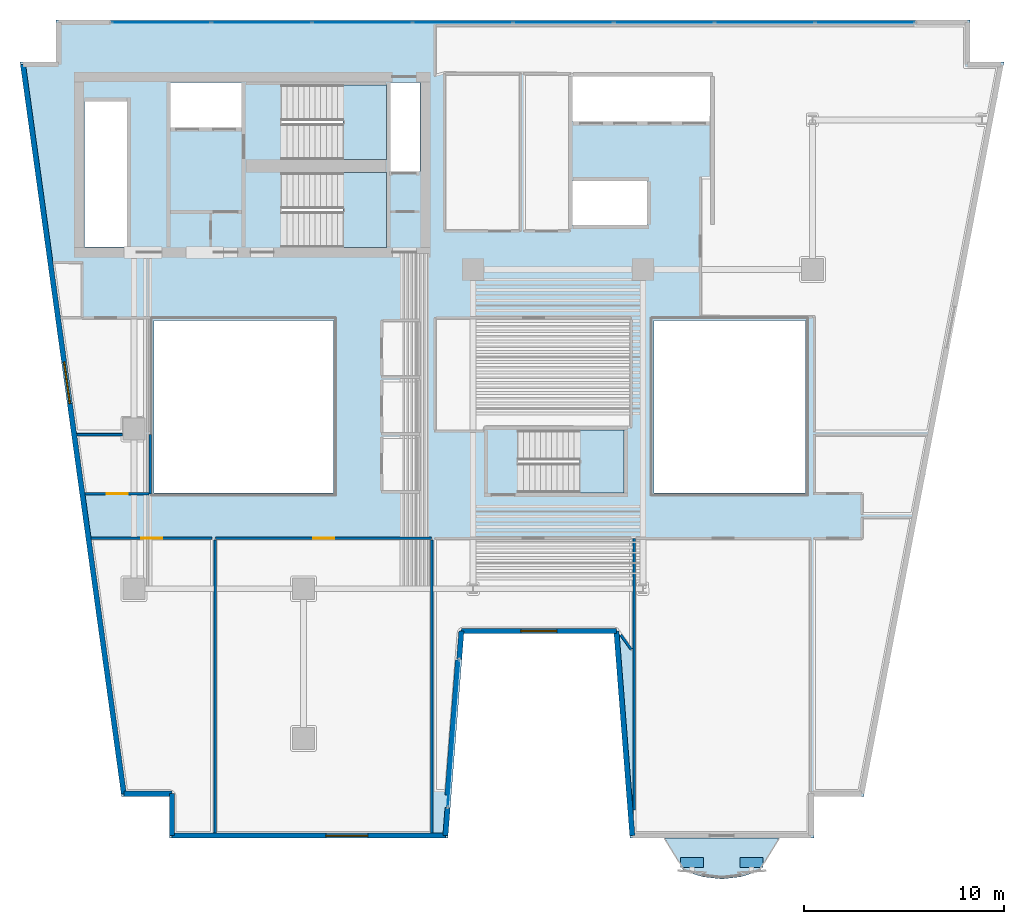
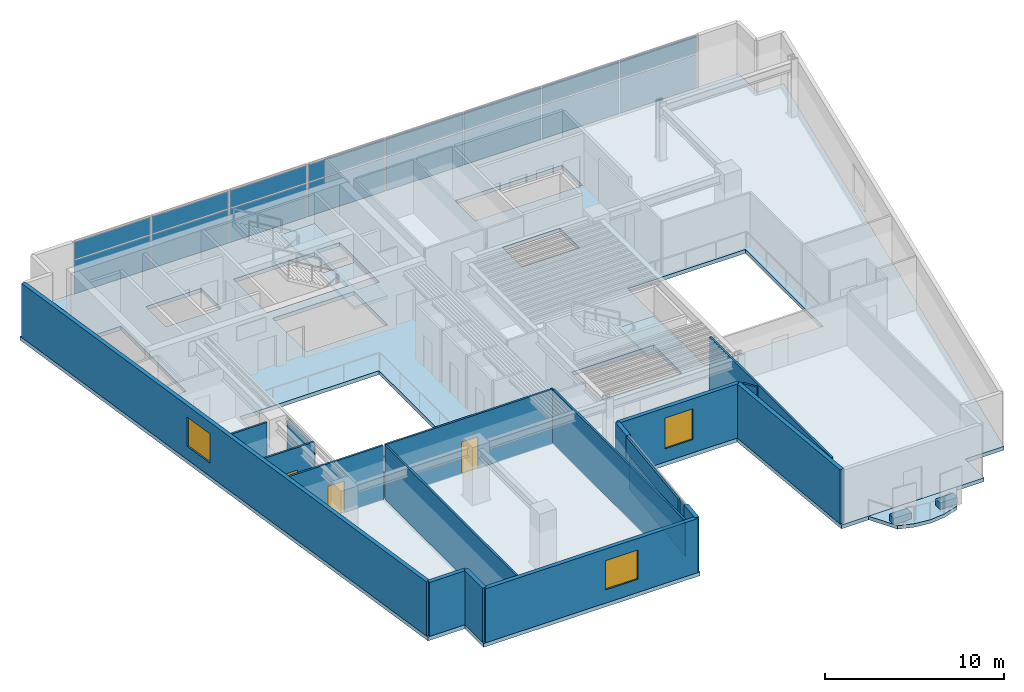
# One storey, part 5 of 13: 20 plates, 18 walls, 5 slabs, 3 doors, 3 windows, 6 openings, 5 elements without a shape of their own.
"""IFC4 building model written with IfcOpenShell, lengths in metres."""

import ifcopenshell
import ifcopenshell.guid

model = None  # the IFC model being written
_history = None  # IfcOwnerHistory: only IFC2X3 demands one
_inside = {}  # id of a spatial element -> (the spatial element, [elements in it])
_under = {}  # id of a project, library or spatial element -> (it, [spatial elements below it])
_declared = {}  # id of a project -> (the project, [libraries it declares])
_typed = {}  # id of a type object -> (the type object, [elements of that type])
_made_of = {}  # id of a material, layer set ... -> (it, [elements and type objects made of it])


def new_model(schema):
    """Start an empty IFC model of exactly this schema.

    Asked for "IFC4X3", IfcOpenShell would pick the latest addendum, in which some entities
    have other attributes; the version numbers below select the first issue.
    IFC2X3 requires an IfcOwnerHistory on every rooted entity: one is made here for all.
    """
    global model, _history
    if schema == "IFC4X3":
        model = ifcopenshell.file(schema_version=(4, 3, 0, 0))
    else:
        model = ifcopenshell.file(schema=schema)
    _inside.clear()
    _under.clear()
    _declared.clear()
    _typed.clear()
    _made_of.clear()
    _history = None
    if model.schema == "IFC2X3":
        org = make("IfcOrganization", Name="unknown")
        user = make(
            "IfcPersonAndOrganization",
            ThePerson=make("IfcPerson", FamilyName="unknown"),
            TheOrganization=org,
        )
        app = make(
            "IfcApplication",
            ApplicationDeveloper=org,
            Version="unknown",
            ApplicationFullName="unknown",
            ApplicationIdentifier="unknown",
        )
        _history = make(
            "IfcOwnerHistory",
            OwningUser=user,
            OwningApplication=app,
            ChangeAction="ADDED",
            CreationDate=0,
        )
    return model


def make(cls, **values):
    """One entity of the class cls with the attributes given. An attribute that is None is left unset."""
    return model.create_entity(
        cls, **{name: value for name, value in values.items() if value is not None}
    )


def rooted(cls, **values):
    """An entity with a GlobalId (a new one), such as an element, a storey or a relation."""
    return make(cls, GlobalId=ifcopenshell.guid.new(), OwnerHistory=_history, **values)


def si_unit(unit_type, name, prefix=None):
    """IfcSIUnit, for example si_unit("LENGTHUNIT", "METRE", prefix="MILLI")."""
    return make("IfcSIUnit", UnitType=unit_type, Prefix=prefix, Name=name)


def assignment(units):
    """IfcUnitAssignment: the units of a project."""
    return None if units is None else make("IfcUnitAssignment", Units=units)


def point(xyz):
    """IfcCartesianPoint."""
    return None if xyz is None else make("IfcCartesianPoint", Coordinates=xyz)


def direction(xyz):
    """IfcDirection."""
    return None if xyz is None else make("IfcDirection", DirectionRatios=xyz)


def frame(location, z_axis=None, x_axis=None):
    """IfcAxis2Placement3D, a coordinate frame: its origin and axes. An axis left out is left unset."""
    return make(
        "IfcAxis2Placement3D",
        Location=point(location),
        Axis=direction(z_axis),
        RefDirection=direction(x_axis),
    )


def frame_2d(location, x_axis=None):
    """IfcAxis2Placement2D, a coordinate frame in the plane: its origin and x axis."""
    return make(
        "IfcAxis2Placement2D", Location=point(location), RefDirection=direction(x_axis)
    )


def origin():
    """The frame at (0, 0, 0) with its axes left unset."""
    return frame((0.0, 0.0, 0.0))


def origin_2d():
    """The frame at (0, 0) in the plane with its x axis left unset."""
    return frame_2d((0.0, 0.0))


def place(relative_to, where):
    """IfcLocalPlacement: puts the frame where relative to a parent placement (None: the world)."""
    return make(
        "IfcLocalPlacement", PlacementRelTo=relative_to, RelativePlacement=where
    )


def context(
    kind, dimensions, precision=None, world=None, true_north=None, identifier=None
):
    """IfcGeometricRepresentationContext, for example the 3D "Model" context."""
    return make(
        "IfcGeometricRepresentationContext",
        ContextIdentifier=identifier,
        ContextType=kind,
        CoordinateSpaceDimension=dimensions,
        Precision=precision,
        WorldCoordinateSystem=world,
        TrueNorth=true_north,
    )


def subcontext(parent, identifier, kind, view, scale=None):
    """IfcGeometricRepresentationSubContext, for example "Body" below "Model"."""
    return make(
        "IfcGeometricRepresentationSubContext",
        ContextIdentifier=identifier,
        ContextType=kind,
        ParentContext=parent,
        TargetScale=scale,
        TargetView=view,
    )


def project(units=None, contexts=None):
    """IfcProject with its units and contexts."""
    return rooted(
        "IfcProject",
        Name="project",
        RepresentationContexts=contexts,
        UnitsInContext=assignment(units),
    )


def spatial(cls, under=None, at=None, **own):
    """A site, building, storey or space (cls), placed at a placement, below another one or the project."""
    s = rooted(cls, ObjectPlacement=at, **own)
    if under is not None:
        _under.setdefault(under.id(), (under, []))[1].append(s)
    return s


def polyline(points):
    """IfcPolyline through the points."""
    return make("IfcPolyline", Points=[point(p) for p in points])


def profile(cls, at=None, kind="AREA", **sizes):
    """A parametric profile (cls). Its sizes go by their IFC names, for example OverallWidth=200.0."""
    return make(cls, ProfileType=kind, Position=at, **sizes)


def rectangle(**sizes):
    """IfcRectangleProfileDef."""
    return profile("IfcRectangleProfileDef", **sizes)


def outline(outer, holes=None, kind="AREA"):
    """IfcArbitraryClosedProfileDef: a profile drawn as a closed curve; with holes, ...WithVoids."""
    if holes is None:
        return make("IfcArbitraryClosedProfileDef", ProfileType=kind, OuterCurve=outer)
    return make(
        "IfcArbitraryProfileDefWithVoids",
        ProfileType=kind,
        OuterCurve=outer,
        InnerCurves=holes,
    )


def extrude(swept, where, along, depth):
    """IfcExtrudedAreaSolid: the profile swept, set in the frame where, extruded along a direction by depth."""
    return make(
        "IfcExtrudedAreaSolid",
        SweptArea=swept,
        Position=where,
        ExtrudedDirection=direction(along),
        Depth=depth,
    )


def shape(context_of_items, identifier, shape_type, items):
    """IfcShapeRepresentation: the items that make up one representation, for example the "Body"."""
    return make(
        "IfcShapeRepresentation",
        ContextOfItems=context_of_items,
        RepresentationIdentifier=identifier,
        RepresentationType=shape_type,
        Items=items,
    )


def material(Name=None, Category=None):
    """IfcMaterial."""
    return make("IfcMaterial", Name=Name, Category=Category)


def layer(
    of_material, thickness, ventilated=None, Name=None, Category=None, Priority=None
):
    """IfcMaterialLayer: one layer of a wall or slab, of a material (None: an air gap)."""
    return make(
        "IfcMaterialLayer",
        Material=of_material,
        LayerThickness=thickness,
        IsVentilated=ventilated,
        Name=Name,
        Category=Category,
        Priority=Priority,
    )


def layer_set(layers, Name=None):
    """IfcMaterialLayerSet."""
    return make("IfcMaterialLayerSet", MaterialLayers=layers, LayerSetName=Name)


def made_of(thing, what):
    """Note that an element or type object is made of a material, layer set ...; save() writes the relation."""
    if what is not None:
        _made_of.setdefault(what.id(), (what, []))[1].append(thing)
    return thing


def type_object(cls, material=None, **own):
    """A type object (cls), such as IfcWallType, which elements share."""
    return made_of(rooted(cls, **own), material)


def element(
    cls,
    number,
    at=None,
    inside=None,
    cuts=None,
    type_object=None,
    material=None,
    context=None,
    identifier="Body",
    shape_type=None,
    held_by="IfcProductDefinitionShape",
    body=None,
    shapes=None,
    **own,
):
    """One element of the class cls, such as IfcWall. Its Tag is "e" and its number.

    at: its placement. inside: the storey or other place that contains it. cuts: it is an
    opening in that element (IfcRelVoidsElement). A single representation is given by context,
    identifier, shape_type and body (its items); several are given by shapes. held_by: the class
    of the entity that holds the representations. save() writes the other relations.
    """
    e = rooted(cls, Tag="e%d" % number, ObjectPlacement=at, **own)
    if body is not None:
        shapes = [shape(context, identifier, shape_type, body)]
    if shapes is not None:
        e.Representation = make(held_by, Representations=shapes)
    if inside is not None:
        _inside.setdefault(inside.id(), (inside, []))[1].append(e)
    if cuts is not None:
        rooted(
            "IfcRelVoidsElement", RelatingBuildingElement=cuts, RelatedOpeningElement=e
        )
    if type_object is not None:
        _typed.setdefault(type_object.id(), (type_object, []))[1].append(e)
    return made_of(e, material)


def fill(opening, filler):
    """IfcRelFillsElement: the door or window that sits in an opening."""
    return rooted(
        "IfcRelFillsElement",
        RelatingOpeningElement=opening,
        RelatedBuildingElement=filler,
    )


def aggregate(whole, parts):
    """IfcRelAggregates: a whole, such as a stair, and the parts it consists of."""
    return rooted("IfcRelAggregates", RelatingObject=whole, RelatedObjects=parts)


def save(model, path):
    """Write the relations noted so far, then the file.

    IfcRelAggregates (storeys below a building ...), IfcRelContainedInSpatialStructure (elements
    in a storey), IfcRelDefinesByType, IfcRelAssociatesMaterial and IfcRelDeclares: one each for
    every whole, place, type object, material and project.
    """
    for whole, parts in _under.values():
        aggregate(whole, parts)
    for where, things in _inside.values():
        rooted(
            "IfcRelContainedInSpatialStructure",
            RelatedElements=things,
            RelatingStructure=where,
        )
    for kind, things in _typed.values():
        rooted("IfcRelDefinesByType", RelatedObjects=things, RelatingType=kind)
    for what, things in _made_of.values():
        rooted("IfcRelAssociatesMaterial", RelatedObjects=things, RelatingMaterial=what)
    for by, libraries in _declared.values():
        rooted("IfcRelDeclares", RelatingContext=by, RelatedDefinitions=libraries)
    model.write(path)


model = new_model("IFC4")

# Units and contexts
model_context = context("Model", 3, precision=1e-05, world=origin(), true_north=direction((0.0, 1.0)))
body_context = subcontext(model_context, "Body", "Model", "MODEL_VIEW")
ifc_project = project(units=[si_unit("LENGTHUNIT", "METRE"), si_unit("AREAUNIT", "SQUARE_METRE"), si_unit("VOLUMEUNIT", "CUBIC_METRE"), si_unit("PLANEANGLEUNIT", "RADIAN"), si_unit("MASSUNIT", "GRAM", prefix="KILO")], contexts=[model_context])

# Site, building, storey
site_placement = place(None, origin())
site = spatial("IfcSite", under=ifc_project, at=site_placement, CompositionType="ELEMENT")
building_placement = place(site_placement, origin())
building = spatial("IfcBuilding", under=site, at=building_placement, Name="Caeloran Harvest Quay", CompositionType="ELEMENT")
storey_placement = place(building_placement, frame((0.0, 0.0, 123.25)))
storey = spatial("IfcBuildingStorey", under=building, at=storey_placement, Name="L28", CompositionType="ELEMENT", Elevation=123.25)

# Slab
ifc_material_1 = material(Name="Concrete C50/60", Category="concrete")
ifc_layer_1 = layer(ifc_material_1, 0.239990234375, Name="Concrete C50/60")
ifc_layer_set_1 = layer_set([ifc_layer_1], Name="Concrete C50/60")
slab_type_1 = type_object("IfcSlabType", Name="BALCONY-BL-240", PredefinedType="FLOOR", material=ifc_layer_set_1)
slab_1_placement = place(storey_placement, frame((0.0, 0.0, -0.239990234375)))
element("IfcSlab", 1, at=slab_1_placement, inside=storey, type_object=slab_type_1, Name="L28 Scalloped Cantilevered Planted Balcony Slab", PredefinedType="FLOOR", context=body_context, shape_type="SweptSolid", body=[
    extrude(outline(polyline([(39.869873046875, 0.86669921875), (38.913818359375, 0.56396484375), (37.95751953125, 0.453125), (37.001220703125, 0.56396484375), (36.045166015625, 0.86669921875), (35.1005859375, 2.5), (40.814453125, 2.5), (39.869873046875, 0.86669921875)])), origin(), (0.0, 0.0, 1.0), 0.239990234375),
])

# Curtain wall, plates
ifc_material_2 = material(Name="Aluminium 6063-T6 and Low-E Glazing", Category="aluminium")
ifc_layer_2 = layer(ifc_material_2, 0.18994140625, Name="Aluminium 6063-T6 and Low-E Glazing")
ifc_layer_set_2 = layer_set([ifc_layer_2], Name="Aluminium 6063-T6 and Low-E Glazing")
curtain_wall_type = type_object("IfcCurtainWallType", Name="CW-SYS-CW-3", PredefinedType="USERDEFINED", material=ifc_layer_set_2)
curtain_wall_1_placement = place(storey_placement, origin())
curtain_wall_1 = element("IfcCurtainWall", 2, at=curtain_wall_1_placement, inside=storey, type_object=curtain_wall_type, Name="L28 Unitised Curtain Wall CW-3 Run 6", ObjectType="CURTAIN_WALL", PredefinedType="USERDEFINED")
ifc_material_3 = material(Name="Low-E Double Glazed Vision Glass Unit", Category="glass")
ifc_layer_3 = layer(ifc_material_3, 0.035888671875, Name="Low-E Double Glazed Vision Glass Unit")
ifc_layer_set_3 = layer_set([ifc_layer_3], Name="Low-E Double Glazed Vision Glass Unit")
plate_type_1 = type_object("IfcPlateType", Name="CW-VISION-PANEL", PredefinedType="CURTAIN_PANEL", material=ifc_layer_set_3)
plate_1_placement = place(storey_placement, frame((9.871337890625, 43.3701171875, 0.080078125), z_axis=(0.0, 0.0, 1.0), x_axis=(1.0, 0.0, 0.0)))
plate_1 = element("IfcPlate", 3, at=plate_1_placement, type_object=plate_type_1, Name="CW-3 panel 1.1", PredefinedType="CURTAIN_PANEL", context=body_context, shape_type="SweptSolid", body=[
    extrude(rectangle(XDim=4.922607421875, YDim=0.035888671875, at=origin_2d()), origin(), (0.0, 0.0, 1.0), 2.280029296875),
])
plate_2_placement = place(storey_placement, frame((9.871337890625, 43.3701171875, 2.43994140625), z_axis=(0.0, 0.0, 1.0), x_axis=(1.0, 0.0, 0.0)))
plate_2 = element("IfcPlate", 4, at=plate_2_placement, type_object=plate_type_1, Name="CW-3 panel 1.2", PredefinedType="CURTAIN_PANEL", context=body_context, shape_type="SweptSolid", body=[
    extrude(rectangle(XDim=4.922607421875, YDim=0.035888671875, at=origin_2d()), origin(), (0.0, 0.0, 1.0), 1.169921875),
])
plate_3_placement = place(storey_placement, frame((14.893798828125, 43.3701171875, 0.080078125), z_axis=(0.0, 0.0, 1.0), x_axis=(1.0, 0.0, 0.0)))
plate_3 = element("IfcPlate", 5, at=plate_3_placement, type_object=plate_type_1, Name="CW-3 panel 2.1", PredefinedType="CURTAIN_PANEL", context=body_context, shape_type="SweptSolid", body=[
    extrude(rectangle(XDim=4.96240234375, YDim=0.035888671875, at=origin_2d()), origin(), (0.0, 0.0, 1.0), 2.280029296875),
])
plate_4_placement = place(storey_placement, frame((14.893798828125, 43.3701171875, 2.43994140625), z_axis=(0.0, 0.0, 1.0), x_axis=(1.0, 0.0, 0.0)))
plate_4 = element("IfcPlate", 6, at=plate_4_placement, type_object=plate_type_1, Name="CW-3 panel 2.2", PredefinedType="CURTAIN_PANEL", context=body_context, shape_type="SweptSolid", body=[
    extrude(rectangle(XDim=4.96240234375, YDim=0.035888671875, at=origin_2d()), origin(), (0.0, 0.0, 1.0), 1.169921875),
])
plate_5_placement = place(storey_placement, frame((19.936279296875, 43.3701171875, 0.080078125), z_axis=(0.0, 0.0, 1.0), x_axis=(1.0, 0.0, 0.0)))
plate_5 = element("IfcPlate", 7, at=plate_5_placement, type_object=plate_type_1, Name="CW-3 panel 3.1", PredefinedType="CURTAIN_PANEL", context=body_context, shape_type="SweptSolid", body=[
    extrude(rectangle(XDim=4.96240234375, YDim=0.035888671875, at=origin_2d()), origin(), (0.0, 0.0, 1.0), 2.280029296875),
])
plate_6_placement = place(storey_placement, frame((19.936279296875, 43.3701171875, 2.43994140625), z_axis=(0.0, 0.0, 1.0), x_axis=(1.0, 0.0, 0.0)))
plate_6 = element("IfcPlate", 8, at=plate_6_placement, type_object=plate_type_1, Name="CW-3 panel 3.2", PredefinedType="CURTAIN_PANEL", context=body_context, shape_type="SweptSolid", body=[
    extrude(rectangle(XDim=4.96240234375, YDim=0.035888671875, at=origin_2d()), origin(), (0.0, 0.0, 1.0), 1.169921875),
])
plate_7_placement = place(storey_placement, frame((24.978759765625, 43.3701171875, 0.080078125), z_axis=(0.0, 0.0, 1.0), x_axis=(1.0, 0.0, 0.0)))
plate_7 = element("IfcPlate", 9, at=plate_7_placement, type_object=plate_type_1, Name="CW-3 panel 4.1", PredefinedType="CURTAIN_PANEL", context=body_context, shape_type="SweptSolid", body=[
    extrude(rectangle(XDim=4.96240234375, YDim=0.035888671875, at=origin_2d()), origin(), (0.0, 0.0, 1.0), 2.280029296875),
])
plate_8_placement = place(storey_placement, frame((24.978759765625, 43.3701171875, 2.43994140625), z_axis=(0.0, 0.0, 1.0), x_axis=(1.0, 0.0, 0.0)))
plate_8 = element("IfcPlate", 10, at=plate_8_placement, type_object=plate_type_1, Name="CW-3 panel 4.2", PredefinedType="CURTAIN_PANEL", context=body_context, shape_type="SweptSolid", body=[
    extrude(rectangle(XDim=4.96240234375, YDim=0.035888671875, at=origin_2d()), origin(), (0.0, 0.0, 1.0), 1.169921875),
])
plate_9_placement = place(storey_placement, frame((30.021240234375, 43.3701171875, 0.080078125), z_axis=(0.0, 0.0, 1.0), x_axis=(1.0, 0.0, 0.0)))
plate_9 = element("IfcPlate", 11, at=plate_9_placement, type_object=plate_type_1, Name="CW-3 panel 5.1", PredefinedType="CURTAIN_PANEL", context=body_context, shape_type="SweptSolid", body=[
    extrude(rectangle(XDim=4.96240234375, YDim=0.035888671875, at=origin_2d()), origin(), (0.0, 0.0, 1.0), 2.280029296875),
])
plate_10_placement = place(storey_placement, frame((30.021240234375, 43.3701171875, 2.43994140625), z_axis=(0.0, 0.0, 1.0), x_axis=(1.0, 0.0, 0.0)))
plate_10 = element("IfcPlate", 12, at=plate_10_placement, type_object=plate_type_1, Name="CW-3 panel 5.2", PredefinedType="CURTAIN_PANEL", context=body_context, shape_type="SweptSolid", body=[
    extrude(rectangle(XDim=4.96240234375, YDim=0.035888671875, at=origin_2d()), origin(), (0.0, 0.0, 1.0), 1.169921875),
])
plate_11_placement = place(storey_placement, frame((35.063720703125, 43.3701171875, 0.080078125), z_axis=(0.0, 0.0, 1.0), x_axis=(1.0, 0.0, 0.0)))
plate_11 = element("IfcPlate", 13, at=plate_11_placement, type_object=plate_type_1, Name="CW-3 panel 6.1", PredefinedType="CURTAIN_PANEL", context=body_context, shape_type="SweptSolid", body=[
    extrude(rectangle(XDim=4.96240234375, YDim=0.035888671875, at=origin_2d()), origin(), (0.0, 0.0, 1.0), 2.280029296875),
])
plate_12_placement = place(storey_placement, frame((35.063720703125, 43.3701171875, 2.43994140625), z_axis=(0.0, 0.0, 1.0), x_axis=(1.0, 0.0, 0.0)))
plate_12 = element("IfcPlate", 14, at=plate_12_placement, type_object=plate_type_1, Name="CW-3 panel 6.2", PredefinedType="CURTAIN_PANEL", context=body_context, shape_type="SweptSolid", body=[
    extrude(rectangle(XDim=4.96240234375, YDim=0.035888671875, at=origin_2d()), origin(), (0.0, 0.0, 1.0), 1.169921875),
])
plate_13_placement = place(storey_placement, frame((40.106201171875, 43.3701171875, 0.080078125), z_axis=(0.0, 0.0, 1.0), x_axis=(1.0, 0.0, 0.0)))
plate_13 = element("IfcPlate", 15, at=plate_13_placement, type_object=plate_type_1, Name="CW-3 panel 7.1", PredefinedType="CURTAIN_PANEL", context=body_context, shape_type="SweptSolid", body=[
    extrude(rectangle(XDim=4.96240234375, YDim=0.035888671875, at=origin_2d()), origin(), (0.0, 0.0, 1.0), 2.280029296875),
])
plate_14_placement = place(storey_placement, frame((40.106201171875, 43.3701171875, 2.43994140625), z_axis=(0.0, 0.0, 1.0), x_axis=(1.0, 0.0, 0.0)))
plate_14 = element("IfcPlate", 16, at=plate_14_placement, type_object=plate_type_1, Name="CW-3 panel 7.2", PredefinedType="CURTAIN_PANEL", context=body_context, shape_type="SweptSolid", body=[
    extrude(rectangle(XDim=4.96240234375, YDim=0.035888671875, at=origin_2d()), origin(), (0.0, 0.0, 1.0), 1.169921875),
])
plate_15_placement = place(storey_placement, frame((45.128662109375, 43.3701171875, 0.080078125), z_axis=(0.0, 0.0, 1.0), x_axis=(1.0, 0.0, 0.0)))
plate_15 = element("IfcPlate", 17, at=plate_15_placement, type_object=plate_type_1, Name="CW-3 panel 8.1", PredefinedType="CURTAIN_PANEL", context=body_context, shape_type="SweptSolid", body=[
    extrude(rectangle(XDim=4.922607421875, YDim=0.035888671875, at=origin_2d()), origin(), (0.0, 0.0, 1.0), 2.280029296875),
])
plate_16_placement = place(storey_placement, frame((45.128662109375, 43.3701171875, 2.43994140625), z_axis=(0.0, 0.0, 1.0), x_axis=(1.0, 0.0, 0.0)))
plate_16 = element("IfcPlate", 18, at=plate_16_placement, type_object=plate_type_1, Name="CW-3 panel 8.2", PredefinedType="CURTAIN_PANEL", context=body_context, shape_type="SweptSolid", body=[
    extrude(rectangle(XDim=4.922607421875, YDim=0.035888671875, at=origin_2d()), origin(), (0.0, 0.0, 1.0), 1.169921875),
])
aggregate(curtain_wall_1, [plate_1, plate_2, plate_3, plate_4, plate_5, plate_6, plate_7, plate_8, plate_9, plate_10, plate_11, plate_12, plate_13, plate_14, plate_15, plate_16])

curtain_wall_2_placement = place(storey_placement, origin())
curtain_wall_2 = element("IfcCurtainWall", 19, at=curtain_wall_2_placement, inside=storey, type_object=curtain_wall_type, Name="L28 Unitised Curtain Wall CW-3 Run 15", ObjectType="CURTAIN_WALL", PredefinedType="USERDEFINED")
plate_17_placement = place(storey_placement, frame((24.509765625, 7.7548828125, 0.080078125), z_axis=(0.0, 0.0, 1.0), x_axis=(-0.077821861046, -0.996967280277, 0.0)))
plate_17 = element("IfcPlate", 20, at=plate_17_placement, type_object=plate_type_1, Name="CW-3 panel 1.1", PredefinedType="CURTAIN_PANEL", context=body_context, shape_type="SweptSolid", body=[
    extrude(rectangle(XDim=7.3212890625, YDim=0.035888671875, at=origin_2d()), origin(), (0.0, 0.0, 1.0), 2.280029296875),
])
plate_18_placement = place(storey_placement, frame((24.509765625, 7.7548828125, 2.43994140625), z_axis=(0.0, 0.0, 1.0), x_axis=(-0.077821861046, -0.996967280277, 0.0)))
plate_18 = element("IfcPlate", 21, at=plate_18_placement, type_object=plate_type_1, Name="CW-3 panel 1.2", PredefinedType="CURTAIN_PANEL", context=body_context, shape_type="SweptSolid", body=[
    extrude(rectangle(XDim=7.3212890625, YDim=0.035888671875, at=origin_2d()), origin(), (0.0, 0.0, 1.0), 1.169921875),
])
aggregate(curtain_wall_2, [plate_17, plate_18])

# Plates
ifc_material_4 = material(Name="Precast concrete C50/60", Category="concrete")
ifc_layer_4 = layer(ifc_material_4, 0.449951171875, Name="Precast concrete C50/60")
ifc_layer_set_4 = layer_set([ifc_layer_4], Name="Precast concrete C50/60")
plate_type_2 = type_object("IfcPlateType", Name="PLANTER-TROUGH-450", PredefinedType="USERDEFINED", material=ifc_layer_set_4)
for number, where, z_axis, x_axis, name in (
    (22, (39.44921875, 1.280517578125, 0.0), (0.0, 0.0, 1.0), (1.0, 0.0, 0.0), "L28 Balcony Vertical-Greenery Precast PLANTER Trough 1"),
    (23, (36.4658203125, 1.280517578125, 0.0), (0.0, 0.0, 1.0), (1.0, 0.0, 0.0), "L28 Balcony Vertical-Greenery Precast PLANTER Trough 2"),
):
    element("IfcPlate", number, at=place(storey_placement, frame(where, z_axis=z_axis, x_axis=x_axis)), inside=storey, type_object=plate_type_2, Name=name, ObjectType="PLANTER", PredefinedType="USERDEFINED", context=body_context, shape_type="SweptSolid", body=[
        extrude(rectangle(XDim=1.14990234375, YDim=0.47998046875, at=origin_2d()), origin(), (0.0, 0.0, 1.0), 0.449951171875),
    ])

# Slab
ifc_layer_5 = layer(ifc_material_1, 0.260009765625, Name="Concrete C50/60")
ifc_layer_set_5 = layer_set([ifc_layer_5], Name="Concrete C50/60")
slab_type_2 = type_object("IfcSlabType", Name="SLAB-FS-260", PredefinedType="FLOOR", material=ifc_layer_set_5)
slab_2_placement = place(storey_placement, frame((0.0, 0.0, -0.260009765625)))
element("IfcSlab", 24, at=slab_2_placement, inside=storey, type_object=slab_type_2, Name="L28 Structural Floor Slab", PredefinedType="FLOOR", context=body_context, shape_type="SweptSolid", body=[
    extrude(outline(polyline([(10.27001953125, 2.5), (24.22998046875, 2.5), (25.030029296875, 12.75), (32.554931640625, 12.75), (33.35498046875, 2.5), (42.570068359375, 2.5), (42.570068359375, 4.60009765625), (45.071044921875, 4.60009765625), (52.09912109375, 41.39990234375), (50.39990234375, 41.39990234375), (50.39990234375, 43.5), (4.60009765625, 43.5), (4.60009765625, 41.39990234375), (2.790283203125, 41.39990234375), (7.879638671875, 4.60009765625), (10.27001953125, 4.60009765625), (10.27001953125, 2.5)]), holes=[polyline([(27.75, 19.800048828125), (27.75, 22.949951171875), (33.050048828125, 22.949951171875), (33.050048828125, 19.800048828125), (27.75, 19.800048828125)]), polyline([(18.5, 19.800048828125), (9.5, 19.800048828125), (9.5, 28.449951171875), (18.5, 28.449951171875), (18.5, 19.800048828125)]), polyline([(42.14990234375, 19.800048828125), (34.550048828125, 19.800048828125), (34.550048828125, 28.449951171875), (42.14990234375, 28.449951171875), (42.14990234375, 19.800048828125)]), polyline([(15.89990234375, 35.85009765625), (21.14990234375, 35.85009765625), (21.14990234375, 32.10009765625), (15.89990234375, 32.10009765625), (15.89990234375, 35.85009765625)]), polyline([(30.47998046875, 33.219970703125), (30.47998046875, 35.429931640625), (34.199951171875, 35.429931640625), (34.199951171875, 33.219970703125), (30.47998046875, 33.219970703125)]), polyline([(8.159912109375, 32.1201171875), (6.02001953125, 32.1201171875), (6.02001953125, 39.419921875), (8.159912109375, 39.419921875), (8.159912109375, 32.1201171875)]), polyline([(22.830078125, 35.919921875), (21.35009765625, 35.919921875), (21.35009765625, 40.3798828125), (22.830078125, 40.3798828125), (22.830078125, 35.919921875)]), polyline([(15.89990234375, 36.5), (15.89990234375, 40.25), (21.14990234375, 40.25), (21.14990234375, 36.5), (15.89990234375, 36.5)]), polyline([(10.320068359375, 38.1201171875), (10.320068359375, 40.3798828125), (13.89990234375, 40.3798828125), (13.89990234375, 38.1201171875), (10.320068359375, 38.1201171875)]), polyline([(30.47998046875, 38.419921875), (30.47998046875, 40.679931640625), (37.3798828125, 40.679931640625), (37.3798828125, 38.419921875), (30.47998046875, 38.419921875)])]), origin(), (0.0, 0.0, 1.0), 0.260009765625),
])

# Stair, slab
stair_type_1 = type_object("IfcStairType", Name="STAIR-STC-180", PredefinedType="HALF_TURN_STAIR", material=ifc_material_1)
stair_1_placement = place(storey_placement, origin())
stair_1 = element("IfcStair", 25, at=stair_1_placement, inside=storey, type_object=stair_type_1, Name="L28 Core Pressurized Exit Stair ST-C1", PredefinedType="HALF_TURN_STAIR")
ifc_layer_6 = layer(ifc_material_1, 0.219970703125, Name="Concrete C50/60")
ifc_layer_set_6 = layer_set([ifc_layer_6], Name="Concrete C50/60")
slab_type_3 = type_object("IfcSlabType", Name="STAIR-LANDING-220", PredefinedType="LANDING", material=ifc_layer_set_6)
slab_3_placement = place(storey_placement, frame((0.0, 0.0, 1.77490234375)))
slab_3 = element("IfcSlab", 26, at=slab_3_placement, type_object=slab_type_3, Name="ST-C1 landing 1", PredefinedType="LANDING", context=body_context, shape_type="SweptSolid", body=[
    extrude(outline(polyline([(18.97998046875, 36.5), (21.14990234375, 36.5), (21.14990234375, 40.25), (18.97998046875, 40.25), (18.97998046875, 36.5)])), origin(), (0.0, 0.0, 1.0), 0.2001953125),
])
aggregate(stair_1, [slab_3])

stair_2_placement = place(storey_placement, origin())
stair_2 = element("IfcStair", 27, at=stair_2_placement, inside=storey, type_object=stair_type_1, Name="L28 Core Pressurized Exit Stair ST-C2", PredefinedType="HALF_TURN_STAIR")
slab_4_placement = place(storey_placement, frame((0.0, 0.0, 1.77490234375)))
slab_4 = element("IfcSlab", 28, at=slab_4_placement, type_object=slab_type_3, Name="ST-C2 landing 1", PredefinedType="LANDING", context=body_context, shape_type="SweptSolid", body=[
    extrude(outline(polyline([(18.97998046875, 32.10009765625), (21.14990234375, 32.10009765625), (21.14990234375, 35.85009765625), (18.97998046875, 35.85009765625), (18.97998046875, 32.10009765625)])), origin(), (0.0, 0.0, 1.0), 0.2001953125),
])
aggregate(stair_2, [slab_4])

stair_type_2 = type_object("IfcStairType", Name="STAIR-STW-150", PredefinedType="HALF_TURN_STAIR", material=ifc_material_1)
stair_3_placement = place(storey_placement, origin())
stair_3 = element("IfcStair", 29, at=stair_3_placement, inside=storey, type_object=stair_type_2, Name="L28 East Wing Protected Exit Stair ST-W1", PredefinedType="HALF_TURN_STAIR")
slab_5_placement = place(storey_placement, frame((0.0, 0.0, 1.77490234375)))
slab_5 = element("IfcSlab", 30, at=slab_5_placement, type_object=slab_type_3, Name="ST-W1 landing 1", PredefinedType="LANDING", context=body_context, shape_type="SweptSolid", body=[
    extrude(outline(polyline([(30.830078125, 19.800048828125), (33.050048828125, 19.800048828125), (33.050048828125, 22.949951171875), (30.830078125, 22.949951171875), (30.830078125, 19.800048828125)])), origin(), (0.0, 0.0, 1.0), 0.2001953125),
])
aggregate(stair_3, [slab_5])

# Walls
ifc_layer_7 = layer(ifc_material_4, 0.260009765625, Name="Precast concrete C50/60")
ifc_layer_set_7 = layer_set([ifc_layer_7], Name="Precast concrete C50/60")
wall_type_1 = type_object("IfcWallType", Name="ENV-WALL-EW-260", PredefinedType="STANDARD", material=ifc_layer_set_7)
wall_1_placement = place(storey_placement, frame((10.39990234375, 2.6298828125, 0.0), z_axis=(0.0, 0.0, 1.0), x_axis=(0.0, 1.0, 0.0)))
element("IfcWall", 31, at=wall_1_placement, inside=storey, type_object=wall_type_1, Name="L28 Exterior Precast Concrete Facade Wall 1", PredefinedType="STANDARD", context=body_context, shape_type="SweptSolid", body=[
    extrude(rectangle(XDim=2.10009765625, YDim=0.260009765625, at=frame_2d((1.050048828125, 0.0))), origin(), (0.0, 0.0, 1.0), 3.68994140625),
])
wall_2_placement = place(storey_placement, frame((10.39990234375, 4.72998046875, 0.0), z_axis=(0.0, 0.0, 1.0), x_axis=(-1.0, 0.0, 0.0)))
element("IfcWall", 32, at=wall_2_placement, inside=storey, type_object=wall_type_1, Name="L28 Exterior Precast Concrete Facade Wall 2", PredefinedType="STANDARD", context=body_context, shape_type="SweptSolid", body=[
    extrude(rectangle(XDim=2.406982421875, YDim=0.260009765625, at=frame_2d((1.20361328125, 0.0))), origin(), (0.0, 0.0, 1.0), 3.68994140625),
])

# Wall, opening, window
wall_3_placement = place(storey_placement, frame((7.992919921875, 4.72998046875, 0.0), z_axis=(0.0, 0.0, 1.0), x_axis=(-0.136989009016, 0.990572567462, 0.0)))
wall_3 = element("IfcWall", 33, at=wall_3_placement, inside=storey, type_object=wall_type_1, Name="L28 Exterior Precast Concrete Facade Wall 3", PredefinedType="STANDARD", context=body_context, shape_type="SweptSolid", body=[
    extrude(rectangle(XDim=36.8876953125, YDim=0.260009765625, at=frame_2d((18.44384765625, 0.0))), origin(), (0.0, 0.0, 1.0), 3.68994140625),
])
opening_1_placement = place(wall_3_placement, frame((19.738037109375, 0.0, 0.89990234375)))
opening_1 = element("IfcOpeningElement", 34, at=opening_1_placement, cuts=wall_3, Name="Opening W-06", PredefinedType="OPENING", context=body_context, shape_type="SweptSolid", body=[
    extrude(rectangle(XDim=2.10009765625, YDim=2.0, at=frame_2d((1.050048828125, 1.0))), frame((0.0, 0.14013671875, 0.0), z_axis=(0.0, -1.0, 0.0), x_axis=(1.0, 0.0, 0.0)), (0.0, 0.0, 1.0), 0.280029296875),
])
ifc_material_5 = material(Name="Aluminium-Framed Low-E Laminated Glass", Category="aluminium")
window_type_1 = type_object("IfcWindowType", Name="WIN-W-06", PartitioningType="DOUBLE_PANEL_VERTICAL", PredefinedType="WINDOW", material=ifc_material_5)
window_1_placement = place(opening_1_placement, origin())
window_1 = element("IfcWindow", 35, at=window_1_placement, inside=storey, type_object=window_type_1, Name="L28 Facade Punched Window W-06", OverallHeight=2.0, OverallWidth=2.10009765625, PartitioningType="DOUBLE_PANEL_VERTICAL", PredefinedType="WINDOW", context=body_context, shape_type="SweptSolid", body=[
    extrude(rectangle(XDim=2.10009765625, YDim=2.0, at=frame_2d((1.050048828125, 1.0))), frame((0.0, 0.030029296875, 0.0), z_axis=(0.0, -1.0, 0.0), x_axis=(1.0, 0.0, 0.0)), (0.0, 0.0, 1.0), 0.06005859375),
])
fill(opening_1, window_1)

# Wall
wall_4_placement = place(storey_placement, frame((33.47509765625, 2.6298828125, 0.0), z_axis=(0.0, 0.0, 1.0), x_axis=(-0.077793257511, 0.996969512616, 0.0)))
element("IfcWall", 36, at=wall_4_placement, inside=storey, type_object=wall_type_1, Name="L28 Exterior Precast Concrete Facade Wall 13", PredefinedType="STANDARD", context=body_context, shape_type="SweptSolid", body=[
    extrude(rectangle(XDim=10.28125, YDim=0.260009765625, at=frame_2d((5.140625, 0.0))), origin(), (0.0, 0.0, 1.0), 3.68994140625),
])

# Wall, opening, window
wall_5_placement = place(storey_placement, frame((32.67529296875, 12.8798828125, 0.0), z_axis=(0.0, 0.0, 1.0), x_axis=(-1.0, 0.0, 0.0)))
wall_5 = element("IfcWall", 37, at=wall_5_placement, inside=storey, type_object=wall_type_1, Name="L28 Exterior Precast Concrete Facade Wall 14", PredefinedType="STANDARD", context=body_context, shape_type="SweptSolid", body=[
    extrude(rectangle(XDim=7.765380859375, YDim=0.260009765625, at=frame_2d((3.8828125, 0.0))), origin(), (0.0, 0.0, 1.0), 3.68994140625),
])
opening_2_placement = place(wall_5_placement, frame((2.98291015625, 0.0, 0.89990234375)))
opening_2 = element("IfcOpeningElement", 38, at=opening_2_placement, cuts=wall_5, Name="Opening W-01", PredefinedType="OPENING", context=body_context, shape_type="SweptSolid", body=[
    extrude(rectangle(XDim=1.800048828125, YDim=2.10009765625, at=frame_2d((0.89990234375, 1.050048828125))), frame((0.0, 0.14013671875, 0.0), z_axis=(0.0, -1.0, 0.0), x_axis=(1.0, 0.0, 0.0)), (0.0, 0.0, 1.0), 0.280029296875),
])
window_type_2 = type_object("IfcWindowType", Name="WIN-W-01", PartitioningType="SINGLE_PANEL", PredefinedType="WINDOW", material=ifc_material_5)
window_2_placement = place(opening_2_placement, origin())
window_2 = element("IfcWindow", 39, at=window_2_placement, inside=storey, type_object=window_type_2, Name="L28 Facade Punched Window W-01", OverallHeight=2.10009765625, OverallWidth=1.800048828125, PartitioningType="SINGLE_PANEL", PredefinedType="WINDOW", context=body_context, shape_type="SweptSolid", body=[
    extrude(rectangle(XDim=1.800048828125, YDim=2.10009765625, at=frame_2d((0.89990234375, 1.050048828125))), frame((0.0, 0.030029296875, 0.0), z_axis=(0.0, -1.0, 0.0), x_axis=(1.0, 0.0, 0.0)), (0.0, 0.0, 1.0), 0.06005859375),
])
fill(opening_2, window_2)

# Walls
for number, where, z_axis, x_axis, name in (
    (40, (24.909912109375, 12.8798828125, 0.0), (0.0, 0.0, 1.0), (-0.077949956455, -0.996957273051, 0.0), "L28 Exterior Facade Corner Pier Wall 15A"),
    (41, (24.21875, 4.025634765625, 0.0), (0.0, 0.0, 1.0), (-0.077776627829, -0.996970810086, 0.0), "L28 Exterior Facade Corner Pier Wall 15B"),
):
    element("IfcWall", number, at=place(storey_placement, frame(where, z_axis=z_axis, x_axis=x_axis)), inside=storey, type_object=wall_type_1, Name=name, PredefinedType="STANDARD", context=body_context, shape_type="SweptSolid", body=[
        extrude(rectangle(XDim=1.39990234375, YDim=0.260009765625, at=frame_2d((0.699951171875, 0.0))), origin(), (0.0, 0.0, 1.0), 3.68994140625),
    ])

# Wall, opening, window
wall_6_placement = place(storey_placement, frame((24.10986328125, 2.6298828125, 0.0), z_axis=(0.0, 0.0, 1.0), x_axis=(-1.0, 0.0, 0.0)))
wall_6 = element("IfcWall", 42, at=wall_6_placement, inside=storey, type_object=wall_type_1, Name="L28 Exterior Precast Concrete Facade Wall 16", PredefinedType="STANDARD", context=body_context, shape_type="SweptSolid", body=[
    extrude(rectangle(XDim=13.7099609375, YDim=0.260009765625, at=frame_2d((6.85498046875, 0.0))), origin(), (0.0, 0.0, 1.0), 3.68994140625),
])
opening_3_placement = place(wall_6_placement, frame((3.885986328125, 0.0, 0.89990234375)))
opening_3 = element("IfcOpeningElement", 43, at=opening_3_placement, cuts=wall_6, Name="Opening W-06", PredefinedType="OPENING", context=body_context, shape_type="SweptSolid", body=[
    extrude(rectangle(XDim=2.10009765625, YDim=2.0, at=frame_2d((1.050048828125, 1.0))), frame((0.0, 0.14013671875, 0.0), z_axis=(0.0, -1.0, 0.0), x_axis=(1.0, 0.0, 0.0)), (0.0, 0.0, 1.0), 0.280029296875),
])
window_3_placement = place(opening_3_placement, origin())
window_3 = element("IfcWindow", 44, at=window_3_placement, inside=storey, type_object=window_type_1, Name="L28 Facade Punched Window W-06", OverallHeight=2.0, OverallWidth=2.10009765625, PartitioningType="DOUBLE_PANEL_VERTICAL", PredefinedType="WINDOW", context=body_context, shape_type="SweptSolid", body=[
    extrude(rectangle(XDim=2.10009765625, YDim=2.0, at=frame_2d((1.050048828125, 1.0))), frame((0.0, 0.030029296875, 0.0), z_axis=(0.0, -1.0, 0.0), x_axis=(1.0, 0.0, 0.0)), (0.0, 0.0, 1.0), 0.06005859375),
])
fill(opening_3, window_3)

# Wall, opening, door
ifc_material_6 = material(Name="Twin-Stud Mineral-Wool Acoustic Gypsum Partition", Category="gypsum")
ifc_layer_8 = layer(ifc_material_6, 0.125, Name="Twin-Stud Mineral-Wool Acoustic Gypsum Partition")
ifc_layer_set_8 = layer_set([ifc_layer_8], Name="Twin-Stud Mineral-Wool Acoustic Gypsum Partition")
wall_type_2 = type_object("IfcWallType", Name="INT-WALL-PW-125", PredefinedType="PARTITIONING", material=ifc_layer_set_8)
wall_7_placement = place(storey_placement, frame((12.580078125, 17.52001953125, 0.0), z_axis=(0.0, 0.0, 1.0), x_axis=(1.0, 0.0, 0.0)))
wall_7 = element("IfcWall", 45, at=wall_7_placement, inside=storey, type_object=wall_type_2, Name="Precision Agriculture Engineering Office Partition Wall", PredefinedType="PARTITIONING", context=body_context, shape_type="SweptSolid", body=[
    extrude(rectangle(XDim=10.83984375, YDim=0.125, at=frame_2d((5.419921875, 0.0))), origin(), (0.0, 0.0, 1.0), 3.68994140625),
])
opening_4_placement = place(wall_7_placement, frame((4.89501953125, 0.0, 0.0)))
opening_4 = element("IfcOpeningElement", 46, at=opening_4_placement, cuts=wall_7, Name="Opening ID-03", PredefinedType="OPENING", context=body_context, shape_type="SweptSolid", body=[
    extrude(rectangle(XDim=1.050048828125, YDim=2.14990234375, at=frame_2d((0.52490234375, 1.074951171875))), frame((0.0, 0.072509765625, 0.0), z_axis=(0.0, -1.0, 0.0), x_axis=(1.0, 0.0, 0.0)), (0.0, 0.0, 1.0), 0.14501953125),
])
ifc_material_7 = material(Name="FSC Solid-Core Oak Timber Leaf", Category="wood")
door_type = type_object("IfcDoorType", Name="INTDOOR-ID-03", OperationType="NOTDEFINED", PredefinedType="DOOR", material=ifc_material_7)
door_1_placement = place(opening_4_placement, origin())
door_1 = element("IfcDoor", 47, at=door_1_placement, inside=storey, type_object=door_type, Name="Precision Agriculture Engineering Office Access Door", OperationType="SINGLE_SWING_LEFT", OverallHeight=2.14990234375, OverallWidth=1.050048828125, PredefinedType="DOOR", context=body_context, shape_type="SweptSolid", body=[
    extrude(rectangle(XDim=1.050048828125, YDim=2.14990234375, at=frame_2d((0.52490234375, 1.074951171875))), frame((0.0, 0.02490234375, 0.0), z_axis=(0.0, -1.0, 0.0), x_axis=(1.0, 0.0, 0.0)), (0.0, 0.0, 1.0), 0.050048828125),
])
fill(opening_4, door_1)

# Walls
for number, where, z_axis, x_axis, name in (
    (48, (23.419921875, 17.452392578125, 0.0), (0.0, 0.0, 1.0), (0.0, -1.0, 0.0), "Precision Agriculture Engineering Office Partition Wall"),
    (49, (12.580078125, 2.764892578125, 0.0), (0.0, 0.0, 1.0), (0.0, 1.0, 0.0), "Precision Agriculture Engineering Office Partition Wall"),
):
    element("IfcWall", number, at=place(storey_placement, frame(where, z_axis=z_axis, x_axis=x_axis)), inside=storey, type_object=wall_type_2, Name=name, PredefinedType="PARTITIONING", context=body_context, shape_type="SweptSolid", body=[
        extrude(rectangle(XDim=14.6875, YDim=0.125, at=frame_2d((7.34375, 0.0))), origin(), (0.0, 0.0, 1.0), 3.68994140625),
    ])
wall_8_placement = place(storey_placement, frame((33.580078125, 3.915283203125, 0.0), z_axis=(0.0, 0.0, 1.0), x_axis=(0.0, 1.0, 0.0)))
element("IfcWall", 50, at=wall_8_placement, inside=storey, type_object=wall_type_2, Name="Controlled-Climate Simulation Lab Partition Wall", PredefinedType="PARTITIONING", context=body_context, shape_type="SweptSolid", body=[
    extrude(rectangle(XDim=13.604736328125, YDim=0.125, at=frame_2d((6.80224609375, 0.0))), origin(), (0.0, 0.0, 1.0), 3.68994140625),
])

# Wall, opening, door
wall_9_placement = place(storey_placement, frame((6.3603515625, 17.52001953125, 0.0), z_axis=(0.0, 0.0, 1.0), x_axis=(1.0, 0.0, 0.0)))
wall_9 = element("IfcWall", 51, at=wall_9_placement, inside=storey, type_object=wall_type_2, Name="Drone Telemetry Computing Office Partition Wall", PredefinedType="PARTITIONING", context=body_context, shape_type="SweptSolid", body=[
    extrude(rectangle(XDim=6.0595703125, YDim=0.125, at=frame_2d((3.02978515625, 0.0))), origin(), (0.0, 0.0, 1.0), 3.68994140625),
])
opening_5_placement = place(wall_9_placement, frame((2.5048828125, 0.0, 0.0)))
opening_5 = element("IfcOpeningElement", 52, at=opening_5_placement, cuts=wall_9, Name="Opening ID-03", PredefinedType="OPENING", context=body_context, shape_type="SweptSolid", body=[
    extrude(rectangle(XDim=1.050048828125, YDim=2.14990234375, at=frame_2d((0.52490234375, 1.074951171875))), frame((0.0, 0.072509765625, 0.0), z_axis=(0.0, -1.0, 0.0), x_axis=(1.0, 0.0, 0.0)), (0.0, 0.0, 1.0), 0.14501953125),
])
door_2_placement = place(opening_5_placement, origin())
door_2 = element("IfcDoor", 53, at=door_2_placement, inside=storey, type_object=door_type, Name="Drone Telemetry Computing Office Access Door", OperationType="SINGLE_SWING_LEFT", OverallHeight=2.14990234375, OverallWidth=1.050048828125, PredefinedType="DOOR", context=body_context, shape_type="SweptSolid", body=[
    extrude(rectangle(XDim=1.050048828125, YDim=2.14990234375, at=frame_2d((0.52490234375, 1.074951171875))), frame((0.0, 0.02490234375, 0.0), z_axis=(0.0, -1.0, 0.0), x_axis=(1.0, 0.0, 0.0)), (0.0, 0.0, 1.0), 0.050048828125),
])
fill(opening_5, door_2)

# Walls
wall_10_placement = place(storey_placement, frame((33.419921875, 11.9609375, 0.0), z_axis=(0.0, 0.0, 1.0), x_axis=(-0.58517236533, 0.810908936228, 0.0)))
element("IfcWall", 54, at=wall_10_placement, inside=storey, type_object=wall_type_2, Name="Boardroom and Client Briefing Room Partition Wall", PredefinedType="PARTITIONING", context=body_context, shape_type="SweptSolid", body=[
    extrude(rectangle(XDim=0.896484375, YDim=0.125, at=frame_2d((0.4482421875, 0.0))), origin(), (0.0, 0.0, 1.0), 3.68994140625),
])
wall_11_placement = place(storey_placement, frame((24.66552734375, 11.419921875, 0.0), z_axis=(0.0, 0.0, 1.0), x_axis=(-0.077847945506, -0.996965243818, 0.0)))
element("IfcWall", 55, at=wall_11_placement, inside=storey, type_object=wall_type_2, Name="Boardroom and Client Briefing Room Partition Wall", PredefinedType="PARTITIONING", context=body_context, shape_type="SweptSolid", body=[
    extrude(rectangle(XDim=6.777099609375, YDim=0.125, at=frame_2d((3.388671875, 0.0))), origin(), (0.0, 0.0, 1.0), 3.68994140625),
])
wall_12_placement = place(storey_placement, frame((9.320068359375, 22.719970703125, 0.0), z_axis=(0.0, 0.0, 1.0), x_axis=(0.0, -1.0, 0.0)))
element("IfcWall", 56, at=wall_12_placement, inside=storey, type_object=wall_type_2, Name="Staff Espresso Kitchen Partition Wall", PredefinedType="PARTITIONING", context=body_context, shape_type="SweptSolid", body=[
    extrude(rectangle(XDim=2.969970703125, YDim=0.125, at=frame_2d((1.48486328125, 0.0))), origin(), (0.0, 0.0, 1.0), 3.375),
])

# Wall, opening, door
wall_13_placement = place(storey_placement, frame((9.25244140625, 19.75, 0.0), z_axis=(0.0, 0.0, 1.0), x_axis=(-1.0, 0.0, 0.0)))
wall_13 = element("IfcWall", 57, at=wall_13_placement, inside=storey, type_object=wall_type_2, Name="Staff Espresso Kitchen Partition Wall", PredefinedType="PARTITIONING", context=body_context, shape_type="SweptSolid", body=[
    extrude(rectangle(XDim=3.200439453125, YDim=0.125, at=frame_2d((1.60009765625, 0.0))), origin(), (0.0, 0.0, 1.0), 3.68994140625),
])
opening_6_placement = place(wall_13_placement, frame((1.0751953125, 0.0, 0.0)))
opening_6 = element("IfcOpeningElement", 58, at=opening_6_placement, cuts=wall_13, Name="Opening ID-03", PredefinedType="OPENING", context=body_context, shape_type="SweptSolid", body=[
    extrude(rectangle(XDim=1.050048828125, YDim=2.14990234375, at=frame_2d((0.52490234375, 1.074951171875))), frame((0.0, 0.072509765625, 0.0), z_axis=(0.0, -1.0, 0.0), x_axis=(1.0, 0.0, 0.0)), (0.0, 0.0, 1.0), 0.14501953125),
])
door_3_placement = place(opening_6_placement, origin())
door_3 = element("IfcDoor", 59, at=door_3_placement, inside=storey, type_object=door_type, Name="Staff Espresso Kitchen Access Door", OperationType="SINGLE_SWING_LEFT", OverallHeight=2.14990234375, OverallWidth=1.050048828125, PredefinedType="DOOR", context=body_context, shape_type="SweptSolid", body=[
    extrude(rectangle(XDim=1.050048828125, YDim=2.14990234375, at=frame_2d((0.52490234375, 1.074951171875))), frame((0.0, 0.02490234375, 0.0), z_axis=(0.0, -1.0, 0.0), x_axis=(1.0, 0.0, 0.0)), (0.0, 0.0, 1.0), 0.050048828125),
])
fill(opening_6, door_3)

# Wall
wall_14_placement = place(storey_placement, frame((5.641357421875, 22.719970703125, 0.0), z_axis=(0.0, 0.0, 1.0), x_axis=(1.0, 0.0, 0.0)))
element("IfcWall", 60, at=wall_14_placement, inside=storey, type_object=wall_type_2, Name="Staff Espresso Kitchen Partition Wall", PredefinedType="PARTITIONING", context=body_context, shape_type="SweptSolid", body=[
    extrude(rectangle(XDim=2.28369140625, YDim=0.125, at=frame_2d((1.141845703125, 0.0))), origin(), (0.0, 0.0, 1.0), 3.68994140625),
])

save(model, "model.ifc")
